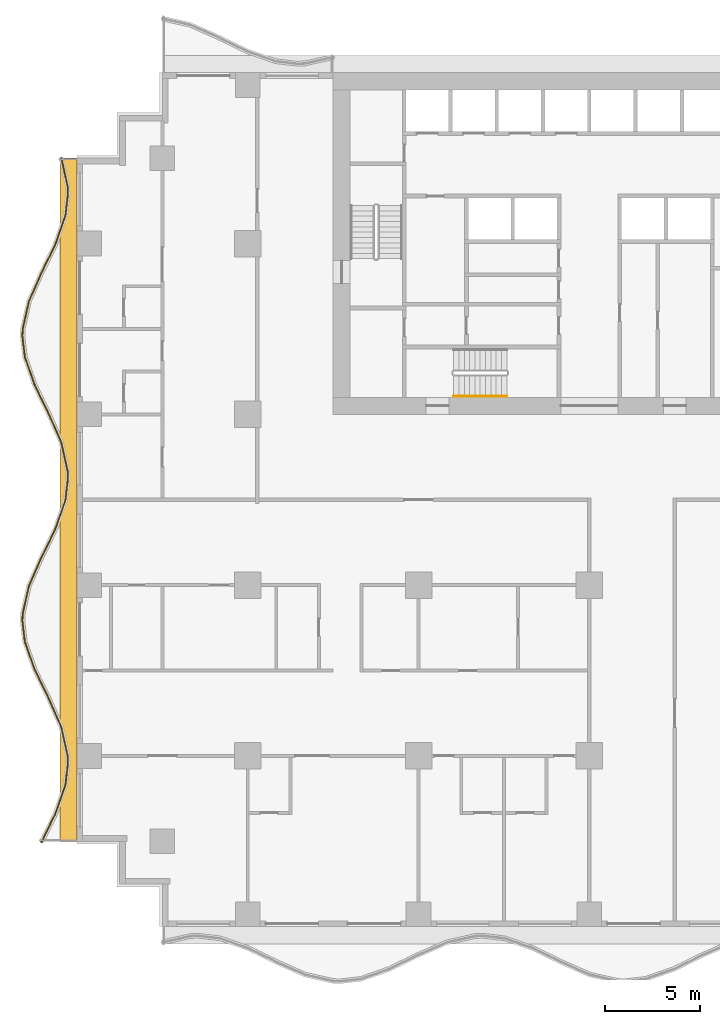
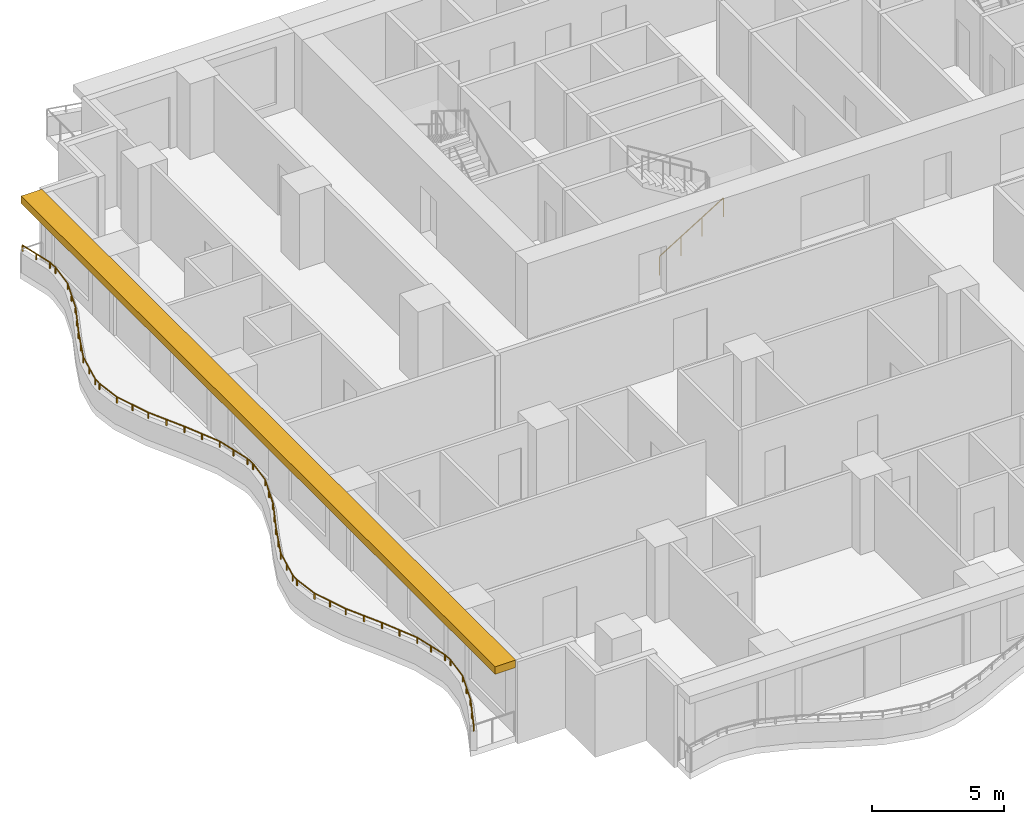
# One storey, part 8 of 13: 2 railings, 1 shading device.
"""IFC4 building model written with IfcOpenShell, lengths in metres."""

from ifc_helpers import new_model, si_unit, direction, frame, origin, origin_2d, place, context, subcontext, project, spatial, polyline, rectangle, circle, outline, extrude, material, layer, layer_set, type_object, element, save


model = new_model("IFC4")

# Units and contexts
model_context = context("Model", 3, precision=1e-05, world=origin(), true_north=direction((0.0, 1.0)))
body_context = subcontext(model_context, "Body", "Model", "MODEL_VIEW")
ifc_project = project(units=[si_unit("LENGTHUNIT", "METRE"), si_unit("AREAUNIT", "SQUARE_METRE"), si_unit("VOLUMEUNIT", "CUBIC_METRE"), si_unit("PLANEANGLEUNIT", "RADIAN"), si_unit("MASSUNIT", "GRAM", prefix="KILO")], contexts=[model_context])

# Site, building, storey
site_placement = place(None, origin())
site = spatial("IfcSite", under=ifc_project, at=site_placement, CompositionType="ELEMENT")
building_placement = place(site_placement, origin())
building = spatial("IfcBuilding", under=site, at=building_placement, Name="Orbiselva Terraces", CompositionType="ELEMENT")
storey_placement = place(building_placement, frame((0.0, 0.0, 96.0)))
storey = spatial("IfcBuildingStorey", under=building, at=storey_placement, Name="L24", CompositionType="ELEMENT", Elevation=96.0)

# Railings
ifc_material_1 = material(Name="Stainless steel", Category="steel")
railing_type_1 = type_object("IfcRailingType", Name="CORE-HANDRAIL-900", PredefinedType="HANDRAIL", material=ifc_material_1)
railing_1_placement = place(storey_placement, frame((-7.15, 5.45, 0.172727)))
element("IfcRailing", 1, at=railing_1_placement, inside=storey, type_object=railing_type_1, Name="L24 S3 stair handrail 1", PredefinedType="HANDRAIL", context=body_context, shape_type="SweptSolid", body=[
    extrude(circle(Radius=0.024, at=origin_2d()), frame((0.0, 0.0, 0.876), z_axis=(0.851088519012, 0.0, 0.52502222125), x_axis=(0.0, 1.0, 0.0)), (0.0, 0.0, 1.0), 3.289905),
    extrude(circle(Radius=0.021, at=origin_2d()), origin(), (0.0, 0.0, 1.0), 0.852),
    extrude(circle(Radius=0.021, at=origin_2d()), frame((0.933333, 0.0, 0.575758)), (0.0, 0.0, 1.0), 0.852),
    extrude(circle(Radius=0.021, at=origin_2d()), frame((1.866667, 0.0, 1.151515)), (0.0, 0.0, 1.0), 0.852),
    extrude(circle(Radius=0.021, at=origin_2d()), frame((2.8, 0.0, 1.727273)), (0.0, 0.0, 1.0), 0.852),
])
ifc_material_2 = material(Name="Bonded two-ply safety glass balustrade, stainless steel posts", Category="steel")
railing_type_2 = type_object("IfcRailingType", Name="ENV-BALUSTRADE-1200", PredefinedType="BALUSTRADE", material=ifc_material_2)
railing_2_placement = place(storey_placement, frame((-27.829507, 18.027377, 0.9)))
element("IfcRailing", 2, at=railing_2_placement, inside=storey, type_object=railing_type_2, Name="Balcony balustrade L24 W", PredefinedType="BALUSTRADE", context=body_context, shape_type="SweptSolid", body=[
    extrude(outline(polyline([(0.028868, 0.0), (0.014434, 0.025), (-0.014434, 0.025), (-0.028868, 0.0), (-0.014434, -0.025), (0.014434, -0.025), (0.028868, 0.0)])), frame((0.0, 0.0, 0.275), z_axis=(0.219015484484, -0.97572138316, 0.0), x_axis=(0.97572138316, 0.219015484484, 0.0)), (0.0, 0.0, 1.0), 1.548694),
    extrude(outline(polyline([(0.028868, 0.0), (0.014434, 0.025), (-0.014434, 0.025), (-0.028868, 0.0), (-0.014434, -0.025), (0.014434, -0.025), (0.028868, 0.0)])), frame((0.339188, -1.511094, 0.275), z_axis=(0.03936915532, -0.999224734286, 0.0), x_axis=(0.999224734286, 0.03936915532, 0.0)), (0.0, 0.0, 1.0), 0.396376),
    extrude(outline(polyline([(0.028868, 0.0), (0.014434, 0.025), (-0.014434, 0.025), (-0.028868, 0.0), (-0.014434, -0.025), (0.014434, -0.025), (0.028868, 0.0)])), frame((0.354793, -1.907163, 0.275), z_axis=(-0.115482182324, -0.993309551734, 0.0), x_axis=(0.993309551734, -0.115482182324, 0.0)), (0.0, 0.0, 1.0), 1.156135),
    extrude(outline(polyline([(0.028868, 0.0), (0.014434, 0.025), (-0.014434, 0.025), (-0.028868, 0.0), (-0.014434, -0.025), (0.014434, -0.025), (0.028868, 0.0)])), frame((0.22128, -3.055563, 0.275), z_axis=(-0.330024597479, -0.943972332783, 0.0), x_axis=(0.943972332783, -0.330024597479, 0.0)), (0.0, 0.0, 1.0), 1.610253),
    extrude(outline(polyline([(0.028868, 0.0), (0.014434, 0.025), (-0.014434, 0.025), (-0.028868, 0.0), (-0.014434, -0.025), (0.014434, -0.025), (0.028868, 0.0)])), frame((-0.310143, -4.575597, 0.275), z_axis=(-0.438812048596, -0.898578870221, 0.0), x_axis=(0.898578870221, -0.438812048596, 0.0)), (0.0, 0.0, 1.0), 1.674225),
    extrude(outline(polyline([(0.028868, 0.0), (0.014434, 0.025), (-0.014434, 0.025), (-0.028868, 0.0), (-0.014434, -0.025), (0.014434, -0.025), (0.028868, 0.0)])), frame((-1.044813, -6.08002, 0.275), z_axis=(-0.403151245402, -0.915133363686, 0.0), x_axis=(0.915133363686, -0.403151245402, 0.0)), (0.0, 0.0, 1.0), 1.624475),
    extrude(outline(polyline([(0.028868, 0.0), (0.014434, 0.025), (-0.014434, 0.025), (-0.028868, 0.0), (-0.014434, -0.025), (0.014434, -0.025), (0.028868, 0.0)])), frame((-1.699722, -7.566631, 0.275), z_axis=(-0.219015740235, -0.975721325753, 0.0), x_axis=(0.975721325753, -0.219015740235, 0.0)), (0.0, 0.0, 1.0), 1.513782),
    extrude(outline(polyline([(0.028868, 0.0), (0.014434, 0.025), (-0.014434, 0.025), (-0.028868, 0.0), (-0.014434, -0.025), (0.014434, -0.025), (0.028868, 0.0)])), frame((-2.031264, -9.04366, 0.275), z_axis=(-0.039364150694, -0.999224931454, 0.0), x_axis=(0.999224931454, -0.039364150694, 0.0)), (0.0, 0.0, 1.0), 0.354206),
    extrude(outline(polyline([(0.028868, 0.0), (0.014434, 0.025), (-0.014434, 0.025), (-0.028868, 0.0), (-0.014434, -0.025), (0.014434, -0.025), (0.028868, 0.0)])), frame((-2.045207, -9.397591, 0.275), z_axis=(0.115481264762, -0.993309658409, 0.0), x_axis=(0.993309658409, 0.115481264762, 0.0)), (0.0, 0.0, 1.0), 1.10902),
    extrude(outline(polyline([(0.028868, 0.0), (0.014434, 0.025), (-0.014434, 0.025), (-0.028868, 0.0), (-0.014434, -0.025), (0.014434, -0.025), (0.028868, 0.0)])), frame((-1.917136, -10.499191, 0.275), z_axis=(0.330024754707, -0.943972277814, 0.0), x_axis=(0.943972277814, 0.330024754707, 0.0)), (0.0, 0.0, 1.0), 1.567807),
    extrude(outline(polyline([(0.028868, 0.0), (0.014434, 0.025), (-0.014434, 0.025), (-0.028868, 0.0), (-0.014434, -0.025), (0.014434, -0.025), (0.028868, 0.0)])), frame((-1.399721, -11.979157, 0.275), z_axis=(0.438811978768, -0.89857890432, 0.0), x_axis=(0.89857890432, 0.438811978768, 0.0)), (0.0, 0.0, 1.0), 1.66438),
    extrude(outline(polyline([(0.028868, 0.0), (0.014434, 0.025), (-0.014434, 0.025), (-0.028868, 0.0), (-0.014434, -0.025), (0.014434, -0.025), (0.028868, 0.0)])), frame((-0.669371, -13.474734, 0.275), z_axis=(0.403150874148, -0.915133527237, 0.0), x_axis=(0.915133527237, 0.403150874148, 0.0)), (0.0, 0.0, 1.0), 1.653736),
    extrude(outline(polyline([(0.028868, 0.0), (0.014434, 0.025), (-0.014434, 0.025), (-0.028868, 0.0), (-0.014434, -0.025), (0.014434, -0.025), (0.028868, 0.0)])), frame((-0.002666, -14.988123, 0.275), z_axis=(0.219015500924, -0.97572137947, 0.0), x_axis=(0.97572137947, 0.219015500924, 0.0)), (0.0, 0.0, 1.0), 1.560867),
    extrude(outline(polyline([(0.028868, 0.0), (0.014434, 0.025), (-0.014434, 0.025), (-0.028868, 0.0), (-0.014434, -0.025), (0.014434, -0.025), (0.028868, 0.0)])), frame((0.339188, -16.511094, 0.275), z_axis=(0.03936915532, -0.999224734286, 0.0), x_axis=(0.999224734286, 0.03936915532, 0.0)), (0.0, 0.0, 1.0), 0.396376),
    extrude(outline(polyline([(0.028868, 0.0), (0.014434, 0.025), (-0.014434, 0.025), (-0.028868, 0.0), (-0.014434, -0.025), (0.014434, -0.025), (0.028868, 0.0)])), frame((0.354793, -16.907163, 0.275), z_axis=(-0.115482182324, -0.993309551734, 0.0), x_axis=(0.993309551734, -0.115482182324, 0.0)), (0.0, 0.0, 1.0), 1.156135),
    extrude(outline(polyline([(0.028868, 0.0), (0.014434, 0.025), (-0.014434, 0.025), (-0.028868, 0.0), (-0.014434, -0.025), (0.014434, -0.025), (0.028868, 0.0)])), frame((0.22128, -18.055563, 0.275), z_axis=(-0.330024597479, -0.943972332783, 0.0), x_axis=(0.943972332783, -0.330024597479, 0.0)), (0.0, 0.0, 1.0), 1.610253),
    extrude(outline(polyline([(0.028868, 0.0), (0.014434, 0.025), (-0.014434, 0.025), (-0.028868, 0.0), (-0.014434, -0.025), (0.014434, -0.025), (0.028868, 0.0)])), frame((-0.310143, -19.575597, 0.275), z_axis=(-0.438812048596, -0.898578870221, 0.0), x_axis=(0.898578870221, -0.438812048596, 0.0)), (0.0, 0.0, 1.0), 1.674225),
    extrude(outline(polyline([(0.028868, 0.0), (0.014434, 0.025), (-0.014434, 0.025), (-0.028868, 0.0), (-0.014434, -0.025), (0.014434, -0.025), (0.028868, 0.0)])), frame((-1.044813, -21.08002, 0.275), z_axis=(-0.403151245402, -0.915133363686, 0.0), x_axis=(0.915133363686, -0.403151245402, 0.0)), (0.0, 0.0, 1.0), 1.624475),
    extrude(outline(polyline([(0.028868, 0.0), (0.014434, 0.025), (-0.014434, 0.025), (-0.028868, 0.0), (-0.014434, -0.025), (0.014434, -0.025), (0.028868, 0.0)])), frame((-1.699722, -22.566631, 0.275), z_axis=(-0.219015740235, -0.975721325753, 0.0), x_axis=(0.975721325753, -0.219015740235, 0.0)), (0.0, 0.0, 1.0), 1.513782),
    extrude(outline(polyline([(0.028868, 0.0), (0.014434, 0.025), (-0.014434, 0.025), (-0.028868, 0.0), (-0.014434, -0.025), (0.014434, -0.025), (0.028868, 0.0)])), frame((-2.031264, -24.04366, 0.275), z_axis=(-0.039364150694, -0.999224931454, 0.0), x_axis=(0.999224931454, -0.039364150694, 0.0)), (0.0, 0.0, 1.0), 0.354206),
    extrude(outline(polyline([(0.028868, 0.0), (0.014434, 0.025), (-0.014434, 0.025), (-0.028868, 0.0), (-0.014434, -0.025), (0.014434, -0.025), (0.028868, 0.0)])), frame((-2.045207, -24.397591, 0.275), z_axis=(0.115481264762, -0.993309658409, 0.0), x_axis=(0.993309658409, 0.115481264762, 0.0)), (0.0, 0.0, 1.0), 1.10902),
    extrude(outline(polyline([(0.028868, 0.0), (0.014434, 0.025), (-0.014434, 0.025), (-0.028868, 0.0), (-0.014434, -0.025), (0.014434, -0.025), (0.028868, 0.0)])), frame((-1.917136, -25.499191, 0.275), z_axis=(0.330024754707, -0.943972277814, 0.0), x_axis=(0.943972277814, 0.330024754707, 0.0)), (0.0, 0.0, 1.0), 1.567807),
    extrude(outline(polyline([(0.028868, 0.0), (0.014434, 0.025), (-0.014434, 0.025), (-0.028868, 0.0), (-0.014434, -0.025), (0.014434, -0.025), (0.028868, 0.0)])), frame((-1.399721, -26.979157, 0.275), z_axis=(0.438811978768, -0.89857890432, 0.0), x_axis=(0.89857890432, 0.438811978768, 0.0)), (0.0, 0.0, 1.0), 1.66438),
    extrude(outline(polyline([(0.028868, 0.0), (0.014434, 0.025), (-0.014434, 0.025), (-0.028868, 0.0), (-0.014434, -0.025), (0.014434, -0.025), (0.028868, 0.0)])), frame((-0.669371, -28.474734, 0.275), z_axis=(0.403150874148, -0.915133527237, 0.0), x_axis=(0.915133527237, 0.403150874148, 0.0)), (0.0, 0.0, 1.0), 1.653736),
    extrude(outline(polyline([(0.028868, 0.0), (0.014434, 0.025), (-0.014434, 0.025), (-0.028868, 0.0), (-0.014434, -0.025), (0.014434, -0.025), (0.028868, 0.0)])), frame((-0.002666, -29.988123, 0.275), z_axis=(0.219015500924, -0.97572137947, 0.0), x_axis=(0.97572137947, 0.219015500924, 0.0)), (0.0, 0.0, 1.0), 1.560867),
    extrude(outline(polyline([(0.028868, 0.0), (0.014434, 0.025), (-0.014434, 0.025), (-0.028868, 0.0), (-0.014434, -0.025), (0.014434, -0.025), (0.028868, 0.0)])), frame((0.339188, -31.511094, 0.275), z_axis=(0.03936915532, -0.999224734286, 0.0), x_axis=(0.999224734286, 0.03936915532, 0.0)), (0.0, 0.0, 1.0), 0.396376),
    extrude(outline(polyline([(0.028868, 0.0), (0.014434, 0.025), (-0.014434, 0.025), (-0.028868, 0.0), (-0.014434, -0.025), (0.014434, -0.025), (0.028868, 0.0)])), frame((0.354793, -31.907163, 0.275), z_axis=(-0.115482182324, -0.993309551734, 0.0), x_axis=(0.993309551734, -0.115482182324, 0.0)), (0.0, 0.0, 1.0), 1.156135),
    extrude(outline(polyline([(0.028868, 0.0), (0.014434, 0.025), (-0.014434, 0.025), (-0.028868, 0.0), (-0.014434, -0.025), (0.014434, -0.025), (0.028868, 0.0)])), frame((0.22128, -33.055563, 0.275), z_axis=(-0.330024597479, -0.943972332783, 0.0), x_axis=(0.943972332783, -0.330024597479, 0.0)), (0.0, 0.0, 1.0), 1.610253),
    extrude(outline(polyline([(0.028868, 0.0), (0.014434, 0.025), (-0.014434, 0.025), (-0.028868, 0.0), (-0.014434, -0.025), (0.014434, -0.025), (0.028868, 0.0)])), frame((-0.310143, -34.575597, 0.275), z_axis=(-0.43881217228, -0.898578809821, 0.0), x_axis=(0.898578809821, -0.43881217228, 0.0)), (0.0, 0.0, 1.0), 1.676683),
    extrude(rectangle(XDim=0.05, YDim=0.05, at=origin_2d()), origin(), (0.0, 0.0, 1.0), 0.25),
    extrude(rectangle(XDim=0.05, YDim=0.05, at=origin_2d()), frame((0.169594, -0.755547, 0.0)), (0.0, 0.0, 1.0), 0.25),
    extrude(rectangle(XDim=0.05, YDim=0.05, at=origin_2d()), frame((0.339188, -1.511094, 0.0)), (0.0, 0.0, 1.0), 0.25),
    extrude(rectangle(XDim=0.05, YDim=0.05, at=origin_2d()), frame((0.354793, -1.907163, 0.0)), (0.0, 0.0, 1.0), 0.25),
    extrude(rectangle(XDim=0.05, YDim=0.05, at=origin_2d()), frame((0.22128, -3.055563, 0.0)), (0.0, 0.0, 1.0), 0.25),
    extrude(rectangle(XDim=0.05, YDim=0.05, at=origin_2d()), frame((-0.044431, -3.81558, 0.0)), (0.0, 0.0, 1.0), 0.25),
    extrude(rectangle(XDim=0.05, YDim=0.05, at=origin_2d()), frame((-0.310143, -4.575597, 0.0)), (0.0, 0.0, 1.0), 0.25),
    extrude(rectangle(XDim=0.05, YDim=0.05, at=origin_2d()), frame((-0.677478, -5.327809, 0.0)), (0.0, 0.0, 1.0), 0.25),
    extrude(rectangle(XDim=0.05, YDim=0.05, at=origin_2d()), frame((-1.044813, -6.08002, 0.0)), (0.0, 0.0, 1.0), 0.25),
    extrude(rectangle(XDim=0.05, YDim=0.05, at=origin_2d()), frame((-1.372268, -6.823326, 0.0)), (0.0, 0.0, 1.0), 0.25),
    extrude(rectangle(XDim=0.05, YDim=0.05, at=origin_2d()), frame((-1.699722, -7.566631, 0.0)), (0.0, 0.0, 1.0), 0.25),
    extrude(rectangle(XDim=0.05, YDim=0.05, at=origin_2d()), frame((-1.865493, -8.305146, 0.0)), (0.0, 0.0, 1.0), 0.25),
    extrude(rectangle(XDim=0.05, YDim=0.05, at=origin_2d()), frame((-2.031264, -9.04366, 0.0)), (0.0, 0.0, 1.0), 0.25),
    extrude(rectangle(XDim=0.05, YDim=0.05, at=origin_2d()), frame((-2.045207, -9.397591, 0.0)), (0.0, 0.0, 1.0), 0.25),
    extrude(rectangle(XDim=0.05, YDim=0.05, at=origin_2d()), frame((-1.917136, -10.499191, 0.0)), (0.0, 0.0, 1.0), 0.25),
    extrude(rectangle(XDim=0.05, YDim=0.05, at=origin_2d()), frame((-1.658428, -11.239174, 0.0)), (0.0, 0.0, 1.0), 0.25),
    extrude(rectangle(XDim=0.05, YDim=0.05, at=origin_2d()), frame((-1.399721, -11.979157, 0.0)), (0.0, 0.0, 1.0), 0.25),
    extrude(rectangle(XDim=0.05, YDim=0.05, at=origin_2d()), frame((-1.034546, -12.726946, 0.0)), (0.0, 0.0, 1.0), 0.25),
    extrude(rectangle(XDim=0.05, YDim=0.05, at=origin_2d()), frame((-0.669371, -13.474734, 0.0)), (0.0, 0.0, 1.0), 0.25),
    extrude(rectangle(XDim=0.05, YDim=0.05, at=origin_2d()), frame((-0.336019, -14.231429, 0.0)), (0.0, 0.0, 1.0), 0.25),
    extrude(rectangle(XDim=0.05, YDim=0.05, at=origin_2d()), frame((-0.002666, -14.988123, 0.0)), (0.0, 0.0, 1.0), 0.25),
    extrude(rectangle(XDim=0.05, YDim=0.05, at=origin_2d()), frame((0.168261, -15.749608, 0.0)), (0.0, 0.0, 1.0), 0.25),
    extrude(rectangle(XDim=0.05, YDim=0.05, at=origin_2d()), frame((0.339188, -16.511094, 0.0)), (0.0, 0.0, 1.0), 0.25),
    extrude(rectangle(XDim=0.05, YDim=0.05, at=origin_2d()), frame((0.354793, -16.907163, 0.0)), (0.0, 0.0, 1.0), 0.25),
    extrude(rectangle(XDim=0.05, YDim=0.05, at=origin_2d()), frame((0.22128, -18.055563, 0.0)), (0.0, 0.0, 1.0), 0.25),
    extrude(rectangle(XDim=0.05, YDim=0.05, at=origin_2d()), frame((-0.044431, -18.81558, 0.0)), (0.0, 0.0, 1.0), 0.25),
    extrude(rectangle(XDim=0.05, YDim=0.05, at=origin_2d()), frame((-0.310143, -19.575597, 0.0)), (0.0, 0.0, 1.0), 0.25),
    extrude(rectangle(XDim=0.05, YDim=0.05, at=origin_2d()), frame((-0.677478, -20.327809, 0.0)), (0.0, 0.0, 1.0), 0.25),
    extrude(rectangle(XDim=0.05, YDim=0.05, at=origin_2d()), frame((-1.044813, -21.08002, 0.0)), (0.0, 0.0, 1.0), 0.25),
    extrude(rectangle(XDim=0.05, YDim=0.05, at=origin_2d()), frame((-1.372268, -21.823326, 0.0)), (0.0, 0.0, 1.0), 0.25),
    extrude(rectangle(XDim=0.05, YDim=0.05, at=origin_2d()), frame((-1.699722, -22.566631, 0.0)), (0.0, 0.0, 1.0), 0.25),
    extrude(rectangle(XDim=0.05, YDim=0.05, at=origin_2d()), frame((-1.865493, -23.305146, 0.0)), (0.0, 0.0, 1.0), 0.25),
    extrude(rectangle(XDim=0.05, YDim=0.05, at=origin_2d()), frame((-2.031264, -24.04366, 0.0)), (0.0, 0.0, 1.0), 0.25),
    extrude(rectangle(XDim=0.05, YDim=0.05, at=origin_2d()), frame((-2.045207, -24.397591, 0.0)), (0.0, 0.0, 1.0), 0.25),
    extrude(rectangle(XDim=0.05, YDim=0.05, at=origin_2d()), frame((-1.917136, -25.499191, 0.0)), (0.0, 0.0, 1.0), 0.25),
    extrude(rectangle(XDim=0.05, YDim=0.05, at=origin_2d()), frame((-1.658428, -26.239174, 0.0)), (0.0, 0.0, 1.0), 0.25),
    extrude(rectangle(XDim=0.05, YDim=0.05, at=origin_2d()), frame((-1.399721, -26.979157, 0.0)), (0.0, 0.0, 1.0), 0.25),
    extrude(rectangle(XDim=0.05, YDim=0.05, at=origin_2d()), frame((-1.034546, -27.726946, 0.0)), (0.0, 0.0, 1.0), 0.25),
    extrude(rectangle(XDim=0.05, YDim=0.05, at=origin_2d()), frame((-0.669371, -28.474734, 0.0)), (0.0, 0.0, 1.0), 0.25),
    extrude(rectangle(XDim=0.05, YDim=0.05, at=origin_2d()), frame((-0.336019, -29.231428, 0.0)), (0.0, 0.0, 1.0), 0.25),
    extrude(rectangle(XDim=0.05, YDim=0.05, at=origin_2d()), frame((-0.002666, -29.988123, 0.0)), (0.0, 0.0, 1.0), 0.25),
    extrude(rectangle(XDim=0.05, YDim=0.05, at=origin_2d()), frame((0.168261, -30.749608, 0.0)), (0.0, 0.0, 1.0), 0.25),
    extrude(rectangle(XDim=0.05, YDim=0.05, at=origin_2d()), frame((0.339188, -31.511094, 0.0)), (0.0, 0.0, 1.0), 0.25),
    extrude(rectangle(XDim=0.05, YDim=0.05, at=origin_2d()), frame((0.354793, -31.907163, 0.0)), (0.0, 0.0, 1.0), 0.25),
    extrude(rectangle(XDim=0.05, YDim=0.05, at=origin_2d()), frame((0.22128, -33.055563, 0.0)), (0.0, 0.0, 1.0), 0.25),
    extrude(rectangle(XDim=0.05, YDim=0.05, at=origin_2d()), frame((-0.044431, -33.81558, 0.0)), (0.0, 0.0, 1.0), 0.25),
    extrude(rectangle(XDim=0.05, YDim=0.05, at=origin_2d()), frame((-0.310143, -34.575597, 0.0)), (0.0, 0.0, 1.0), 0.25),
    extrude(rectangle(XDim=0.05, YDim=0.05, at=origin_2d()), frame((-0.678018, -35.328913, 0.0)), (0.0, 0.0, 1.0), 0.25),
    extrude(rectangle(XDim=0.05, YDim=0.05, at=origin_2d()), frame((-1.045892, -36.082229, 0.0)), (0.0, 0.0, 1.0), 0.25),
])

# Shading device
ifc_material_3 = material(Name="Terracotta baguette sunshade", Category="masonry")
ifc_layer = layer(ifc_material_3, 0.35)
ifc_layer_set = layer_set([ifc_layer], Name="Terracotta baguette sunshade")
shading_device_type = type_object("IfcShadingDeviceType", Name="ENV-SUNSHADE-900x350", PredefinedType="USERDEFINED", material=ifc_layer_set)
shading_device_placement = place(storey_placement, frame((0.0, 0.0, 3.15)))
element("IfcShadingDevice", 3, at=shading_device_placement, inside=storey, type_object=shading_device_type, Name="Sunshade band L24 W", ObjectType="SUNSHADE", PredefinedType="USERDEFINED", context=body_context, shape_type="SweptSolid", body=[
    extrude(outline(polyline([(-27.9, 18.0), (-27.9, -18.0), (-27.0, -18.0), (-27.0, 18.0), (-27.9, 18.0)])), origin(), (0.0, 0.0, 1.0), 0.35),
])

save(model, "model.ifc")
